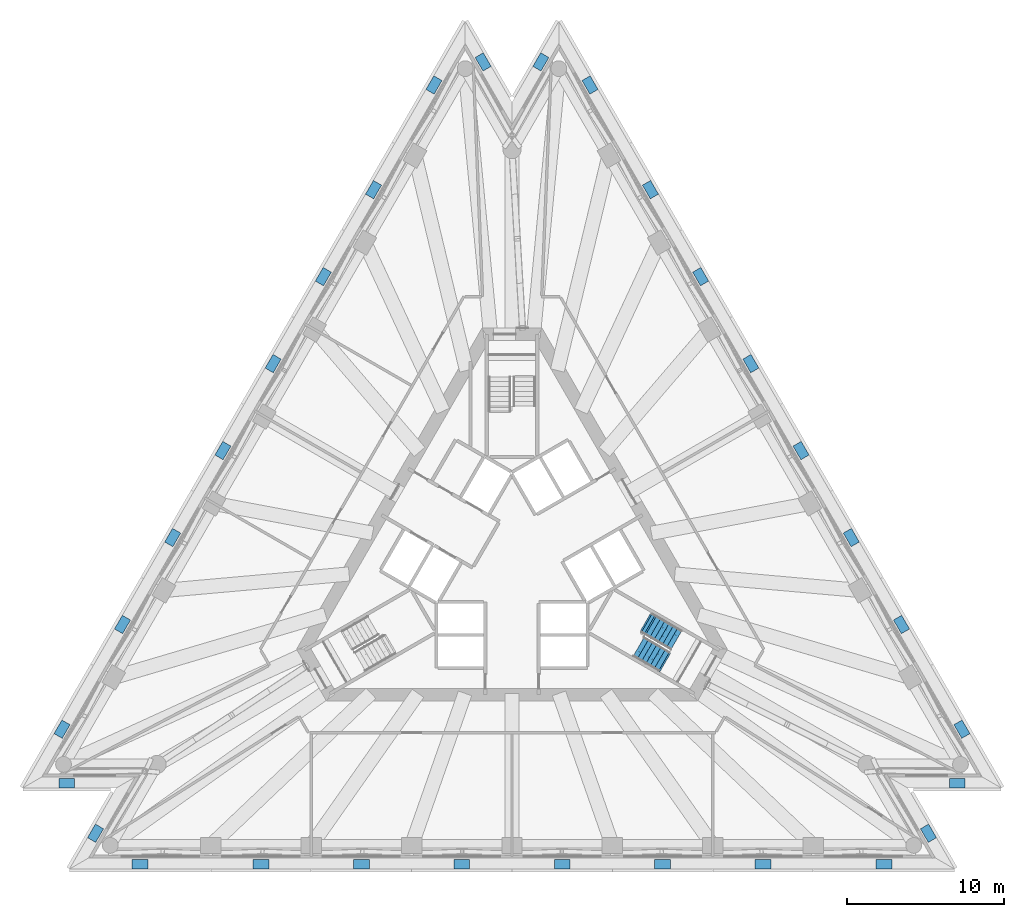
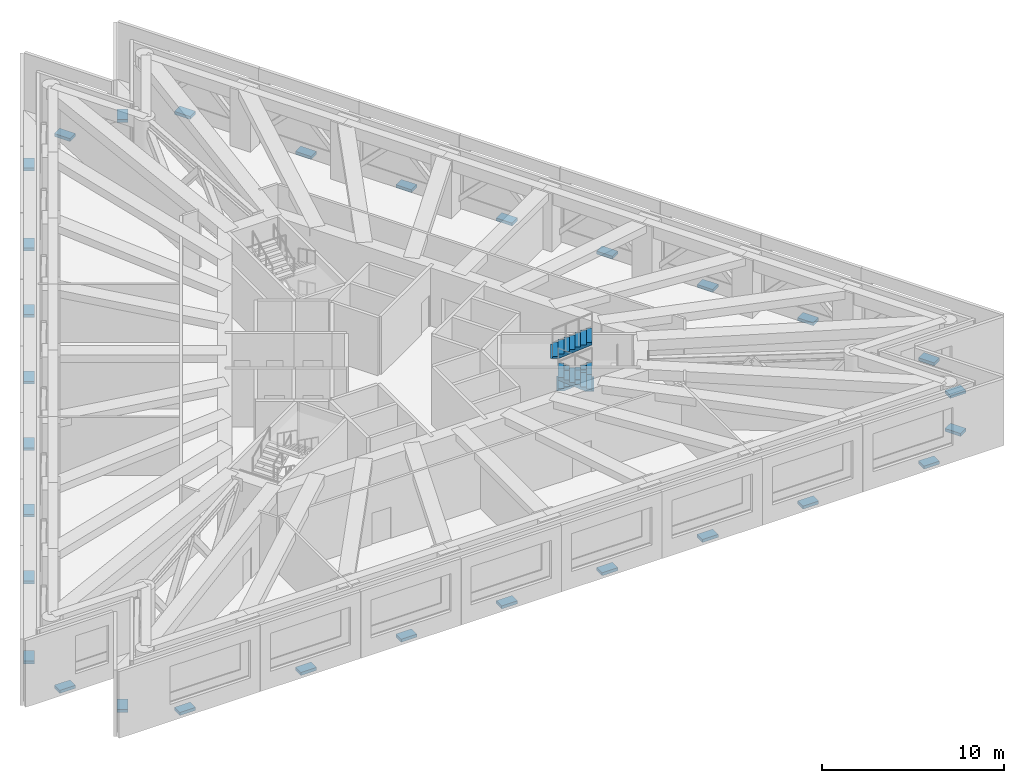
# One storey, part 11 of 13: 30 discrete accessories, 3 stair flights, 1 element without a shape of its own.
"""IFC4 building model written with IfcOpenShell, lengths in metres."""

from ifc_helpers import new_model, si_unit, direction, frame, origin, origin_2d, place, context, subcontext, project, spatial, polyline, rectangle, outline, extrude, material, type_object, element, aggregate, save


model = new_model("IFC4")

# Units and contexts
model_context = context("Model", 3, precision=1e-05, world=origin(), true_north=direction((0.0, 1.0)))
body_context = subcontext(model_context, "Body", "Model", "MODEL_VIEW")
ifc_project = project(units=[si_unit("LENGTHUNIT", "METRE"), si_unit("AREAUNIT", "SQUARE_METRE"), si_unit("VOLUMEUNIT", "CUBIC_METRE"), si_unit("PLANEANGLEUNIT", "RADIAN"), si_unit("MASSUNIT", "GRAM", prefix="KILO")], contexts=[model_context])

# Site, building, storey
site_placement = place(None, origin())
site = spatial("IfcSite", under=ifc_project, at=site_placement, CompositionType="ELEMENT")
building_placement = place(site_placement, origin())
building = spatial("IfcBuilding", under=site, at=building_placement, Name="Triada Interchange Tower", CompositionType="ELEMENT")
storey_placement = place(building_placement, frame((0.0, 0.0, 176.300048828125)))
storey = spatial("IfcBuildingStorey", under=building, at=storey_placement, Name="L41", CompositionType="ELEMENT", Elevation=176.300048828125)

# Stair, stair flights
ifc_material_1 = material(Name="Concrete C35/45", Category="concrete")
stair_type = type_object("IfcStairType", Name="HALF TURN STAIR 1400", PredefinedType="HALF_TURN_STAIR", material=ifc_material_1)
stair_placement = place(storey_placement, origin())
stair = element("IfcStair", 1, at=stair_placement, inside=storey, type_object=stair_type, Name="Exit stair S41-3", PredefinedType="HALF_TURN_STAIR")
stair_flight_type = type_object("IfcStairFlightType", Name="STRAIGHT STAIR FLIGHT 1400", PredefinedType="STRAIGHT", material=ifc_material_1)
stair_flight_1_placement = place(storey_placement, frame((8.8349609375, -4.177001953125, 1.086181640625), z_axis=(0.0, 0.0, 1.0), x_axis=(0.866025403784, -0.5, 0.0)))
stair_flight_1 = element("IfcStairFlight", 2, at=stair_flight_1_placement, type_object=stair_flight_type, Name="S41-3 flight 2", NumberOfRisers=7, NumberOfTreads=6, PredefinedType="STRAIGHT", RiserHeight=0.15517, TreadLength=0.31, context=body_context, shape_type="SweptSolid", body=[
    extrude(outline(polyline([(-0.10009765625, 0.0), (-0.10009765625, 0.02001953125), (0.0, 0.02001953125), (0.0, 0.1552734375), (0.31005859375, 0.1552734375), (0.31005859375, 0.310302734375), (0.6201171875, 0.310302734375), (0.6201171875, 0.465576171875), (0.929931640625, 0.465576171875), (0.929931640625, 0.62060546875), (1.239990234375, 0.62060546875), (1.239990234375, 0.77587890625), (1.550048828125, 0.77587890625), (1.550048828125, 0.930908203125), (1.860107421875, 0.930908203125), (1.864013671875, 0.930908203125), (1.864013671875, 1.086181640625), (1.864013671875, 0.763427734375), (0.3349609375, 0.0), (-0.10009765625, 0.0)])), frame((0.0, 0.699951171875, 0.0), z_axis=(0.0, -1.0, 0.0), x_axis=(1.0, 0.0, 0.0)), (0.0, 0.0, 1.0), 0.46533203125),
    extrude(outline(polyline([(-0.10009765625, 0.0), (-0.10009765625, 0.02001953125), (0.0, 0.02001953125), (0.0, 0.1552734375), (0.31005859375, 0.1552734375), (0.31005859375, 0.310302734375), (0.6201171875, 0.310302734375), (0.6201171875, 0.465576171875), (0.929931640625, 0.465576171875), (0.929931640625, 0.62060546875), (1.239990234375, 0.62060546875), (1.239990234375, 0.77587890625), (1.550048828125, 0.77587890625), (1.550048828125, 0.930908203125), (1.860107421875, 0.930908203125), (1.864013671875, 0.930908203125), (1.864013671875, 1.086181640625), (1.864013671875, 0.763427734375), (0.3349609375, 0.0), (-0.10009765625, 0.0)])), frame((0.0, 0.232666015625, 0.0), z_axis=(0.0, -1.0, 0.0), x_axis=(1.0, 0.0, 0.0)), (0.0, 0.0, 1.0), 0.46533203125),
    extrude(outline(polyline([(-0.10009765625, 0.0), (-0.10009765625, 0.02001953125), (0.0, 0.02001953125), (0.0, 0.1552734375), (0.31005859375, 0.1552734375), (0.31005859375, 0.310302734375), (0.6201171875, 0.310302734375), (0.6201171875, 0.465576171875), (0.929931640625, 0.465576171875), (0.929931640625, 0.62060546875), (1.239990234375, 0.62060546875), (1.239990234375, 0.77587890625), (1.550048828125, 0.77587890625), (1.550048828125, 0.930908203125), (1.860107421875, 0.930908203125), (1.864013671875, 0.930908203125), (1.864013671875, 1.086181640625), (1.864013671875, 0.763427734375), (0.3349609375, 0.0), (-0.10009765625, 0.0)])), frame((0.0, -0.234619140625, 0.0), z_axis=(0.0, -1.0, 0.0), x_axis=(1.0, 0.0, 0.0)), (0.0, 0.0, 1.0), 0.46533203125),
])
stair_flight_2_placement = place(storey_placement, frame((9.64599609375, -6.492919921875, 2.17236328125), z_axis=(0.0, 0.0, 1.0), x_axis=(-0.866025403784, 0.5, 0.0)))
stair_flight_2 = element("IfcStairFlight", 3, at=stair_flight_2_placement, type_object=stair_flight_type, Name="S41-3 flight 3", NumberOfRisers=7, NumberOfTreads=6, PredefinedType="STRAIGHT", RiserHeight=0.15517, TreadLength=0.31, context=body_context, shape_type="SweptSolid", body=[
    extrude(outline(polyline([(-0.10009765625, 0.0), (-0.10009765625, 0.02001953125), (0.0, 0.02001953125), (0.0, 0.1552734375), (0.31005859375, 0.1552734375), (0.31005859375, 0.310302734375), (0.6201171875, 0.310302734375), (0.6201171875, 0.465576171875), (0.929931640625, 0.465576171875), (0.929931640625, 0.62060546875), (1.239990234375, 0.62060546875), (1.239990234375, 0.77587890625), (1.550048828125, 0.77587890625), (1.550048828125, 0.930908203125), (1.860107421875, 0.930908203125), (1.864013671875, 0.930908203125), (1.864013671875, 1.086181640625), (1.864013671875, 0.763427734375), (0.3349609375, 0.0), (-0.10009765625, 0.0)])), frame((0.0, 0.699951171875, 0.0), z_axis=(0.0, -1.0, 0.0), x_axis=(1.0, 0.0, 0.0)), (0.0, 0.0, 1.0), 0.46533203125),
    extrude(outline(polyline([(-0.10009765625, 0.0), (-0.10009765625, 0.02001953125), (0.0, 0.02001953125), (0.0, 0.1552734375), (0.31005859375, 0.1552734375), (0.31005859375, 0.310302734375), (0.6201171875, 0.310302734375), (0.6201171875, 0.465576171875), (0.929931640625, 0.465576171875), (0.929931640625, 0.62060546875), (1.239990234375, 0.62060546875), (1.239990234375, 0.77587890625), (1.550048828125, 0.77587890625), (1.550048828125, 0.930908203125), (1.860107421875, 0.930908203125), (1.864013671875, 0.930908203125), (1.864013671875, 1.086181640625), (1.864013671875, 0.763427734375), (0.3349609375, 0.0), (-0.10009765625, 0.0)])), frame((0.0, 0.232666015625, 0.0), z_axis=(0.0, -1.0, 0.0), x_axis=(1.0, 0.0, 0.0)), (0.0, 0.0, 1.0), 0.46533203125),
    extrude(outline(polyline([(-0.10009765625, 0.0), (-0.10009765625, 0.02001953125), (0.0, 0.02001953125), (0.0, 0.1552734375), (0.31005859375, 0.1552734375), (0.31005859375, 0.310302734375), (0.6201171875, 0.310302734375), (0.6201171875, 0.465576171875), (0.929931640625, 0.465576171875), (0.929931640625, 0.62060546875), (1.239990234375, 0.62060546875), (1.239990234375, 0.77587890625), (1.550048828125, 0.77587890625), (1.550048828125, 0.930908203125), (1.860107421875, 0.930908203125), (1.864013671875, 0.930908203125), (1.864013671875, 1.086181640625), (1.864013671875, 0.763427734375), (0.3349609375, 0.0), (-0.10009765625, 0.0)])), frame((0.0, -0.234619140625, 0.0), z_axis=(0.0, -1.0, 0.0), x_axis=(1.0, 0.0, 0.0)), (0.0, 0.0, 1.0), 0.46533203125),
])
stair_flight_3_placement = place(storey_placement, frame((8.56689453125, -4.02197265625, 3.258544921875), z_axis=(0.0, 0.0, 1.0), x_axis=(0.866025403784, -0.5, 0.0)))
stair_flight_3 = element("IfcStairFlight", 4, at=stair_flight_3_placement, type_object=stair_flight_type, Name="S41-3 flight 4", NumberOfRisers=8, NumberOfTreads=7, PredefinedType="STRAIGHT", RiserHeight=0.15517, TreadLength=0.31, context=body_context, shape_type="SweptSolid", body=[
    extrude(outline(polyline([(-0.10009765625, 0.0), (-0.10009765625, 0.02001953125), (0.0, 0.02001953125), (0.0, 0.1552734375), (0.31005859375, 0.1552734375), (0.31005859375, 0.310302734375), (0.6201171875, 0.310302734375), (0.6201171875, 0.465576171875), (0.929931640625, 0.465576171875), (0.929931640625, 0.62060546875), (1.239990234375, 0.62060546875), (1.239990234375, 0.77587890625), (1.550048828125, 0.77587890625), (1.550048828125, 0.930908203125), (1.860107421875, 0.930908203125), (1.860107421875, 1.086181640625), (2.169921875, 1.086181640625), (2.174072265625, 1.086181640625), (2.174072265625, 1.241455078125), (2.174072265625, 0.91845703125), (0.3349609375, 0.0), (-0.10009765625, 0.0)])), frame((0.0, 0.699951171875, 0.0), z_axis=(0.0, -1.0, 0.0), x_axis=(1.0, 0.0, 0.0)), (0.0, 0.0, 1.0), 0.46533203125),
    extrude(outline(polyline([(-0.10009765625, 0.0), (-0.10009765625, 0.02001953125), (0.0, 0.02001953125), (0.0, 0.1552734375), (0.31005859375, 0.1552734375), (0.31005859375, 0.310302734375), (0.6201171875, 0.310302734375), (0.6201171875, 0.465576171875), (0.929931640625, 0.465576171875), (0.929931640625, 0.62060546875), (1.239990234375, 0.62060546875), (1.239990234375, 0.77587890625), (1.550048828125, 0.77587890625), (1.550048828125, 0.930908203125), (1.860107421875, 0.930908203125), (1.860107421875, 1.086181640625), (2.169921875, 1.086181640625), (2.174072265625, 1.086181640625), (2.174072265625, 1.241455078125), (2.174072265625, 0.91845703125), (0.3349609375, 0.0), (-0.10009765625, 0.0)])), frame((0.0, 0.232666015625, 0.0), z_axis=(0.0, -1.0, 0.0), x_axis=(1.0, 0.0, 0.0)), (0.0, 0.0, 1.0), 0.46533203125),
    extrude(outline(polyline([(-0.10009765625, 0.0), (-0.10009765625, 0.02001953125), (0.0, 0.02001953125), (0.0, 0.1552734375), (0.31005859375, 0.1552734375), (0.31005859375, 0.310302734375), (0.6201171875, 0.310302734375), (0.6201171875, 0.465576171875), (0.929931640625, 0.465576171875), (0.929931640625, 0.62060546875), (1.239990234375, 0.62060546875), (1.239990234375, 0.77587890625), (1.550048828125, 0.77587890625), (1.550048828125, 0.930908203125), (1.860107421875, 0.930908203125), (1.860107421875, 1.086181640625), (2.169921875, 1.086181640625), (2.174072265625, 1.086181640625), (2.174072265625, 1.241455078125), (2.174072265625, 0.91845703125), (0.3349609375, 0.0), (-0.10009765625, 0.0)])), frame((0.0, -0.234619140625, 0.0), z_axis=(0.0, -1.0, 0.0), x_axis=(1.0, 0.0, 0.0)), (0.0, 0.0, 1.0), 0.46533203125),
])
aggregate(stair, [stair_flight_1, stair_flight_2, stair_flight_3])

# Discrete accessories
ifc_material_2 = material(Name="Steel S355", Category="steel")
discrete_accessory_type = type_object("IfcDiscreteAccessoryType", Name="Steel bracket outer skin", PredefinedType="BRACKET", material=ifc_material_2)
for number, where, z_axis, x_axis, name in (
    (5, (-4.955078125, 30.138916015625, -0.27001953125), (0.0, 0.0, 1.0), (-0.86602965363, 0.49999263898, 0.0), "Bracket L41 01"),
    (6, (-8.7939453125, 23.489990234375, -0.27001953125), (0.0, 0.0, 1.0), (-0.86602965363, 0.49999263898, 0.0), "Bracket L41 02"),
    (7, (-11.98291015625, 17.966064453125, -0.27001953125), (0.0, 0.0, 1.0), (-0.86602965363, 0.49999263898, 0.0), "Bracket L41 03"),
    (8, (-15.172119140625, 12.44189453125, -0.27001953125), (0.0, 0.0, 1.0), (-0.86602965363, 0.49999263898, 0.0), "Bracket L41 04"),
    (9, (-18.361083984375, 6.9189453125, -0.27001953125), (0.0, 0.0, 1.0), (-0.86602965363, 0.49999263898, 0.0), "Bracket L41 05"),
    (10, (-21.551025390625, 1.39501953125, -0.27001953125), (0.0, 0.0, 1.0), (-0.86602965363, 0.49999263898, 0.0), "Bracket L41 06"),
    (11, (-24.739990234375, -4.12890625, -0.27001953125), (0.0, 0.0, 1.0), (-0.86602965363, 0.49999263898, 0.0), "Bracket L41 07"),
    (12, (-28.577880859375, -10.778076171875, -0.27001953125), (0.0, 0.0, 1.0), (-0.86602965363, 0.49999263898, 0.0), "Bracket L41 08"),
    (13, (-28.283935546875, -14.215087890625, -0.27001953125), (0.0, 0.0, 1.0), (0.0, -1.0, 0.0), "Bracket L41 09"),
    (14, (-26.452880859375, -17.387939453125, -0.27001953125), (0.0, 0.0, 1.0), (-0.866028641352, 0.499994392326, 0.0), "Bracket L41 10"),
    (15, (-23.623046875, -19.361083984375, -0.27001953125), (0.0, 0.0, 1.0), (0.0, -1.0, 0.0), "Bracket L41 11"),
    (16, (-15.946044921875, -19.361083984375, -0.27001953125), (0.0, 0.0, 1.0), (0.0, -1.0, 0.0), "Bracket L41 12"),
    (17, (-9.56689453125, -19.361083984375, -0.27001953125), (0.0, 0.0, 1.0), (0.0, -1.0, 0.0), "Bracket L41 13"),
    (18, (-3.18896484375, -19.361083984375, -0.27001953125), (0.0, 0.0, 1.0), (0.0, -1.0, 0.0), "Bracket L41 14"),
    (19, (3.18896484375, -19.361083984375, -0.27001953125), (0.0, 0.0, 1.0), (0.0, -1.0, 0.0), "Bracket L41 15"),
    (20, (9.56689453125, -19.361083984375, -0.27001953125), (0.0, 0.0, 1.0), (0.0, -1.0, 0.0), "Bracket L41 16"),
    (21, (15.946044921875, -19.361083984375, -0.27001953125), (0.0, 0.0, 1.0), (0.0, -1.0, 0.0), "Bracket L41 17"),
    (22, (23.623046875, -19.361083984375, -0.27001953125), (0.0, 0.0, 1.0), (0.0, -1.0, 0.0), "Bracket L41 18"),
    (23, (26.452880859375, -17.387939453125, -0.27001953125), (0.0, 0.0, 1.0), (0.866028641352, 0.499994392326, 0.0), "Bracket L41 19"),
    (24, (28.283935546875, -14.215087890625, -0.27001953125), (0.0, 0.0, 1.0), (0.0, -1.0, 0.0), "Bracket L41 20"),
    (25, (28.577880859375, -10.778076171875, -0.27001953125), (0.0, 0.0, 1.0), (0.86602965363, 0.49999263898, 0.0), "Bracket L41 21"),
    (26, (24.739990234375, -4.12890625, -0.27001953125), (0.0, 0.0, 1.0), (0.86602965363, 0.49999263898, 0.0), "Bracket L41 22"),
    (27, (21.551025390625, 1.39501953125, -0.27001953125), (0.0, 0.0, 1.0), (0.86602965363, 0.49999263898, 0.0), "Bracket L41 23"),
    (28, (18.361083984375, 6.9189453125, -0.27001953125), (0.0, 0.0, 1.0), (0.86602965363, 0.49999263898, 0.0), "Bracket L41 24"),
    (29, (15.172119140625, 12.44189453125, -0.27001953125), (0.0, 0.0, 1.0), (0.86602965363, 0.49999263898, 0.0), "Bracket L41 25"),
    (30, (11.98291015625, 17.966064453125, -0.27001953125), (0.0, 0.0, 1.0), (0.86602965363, 0.49999263898, 0.0), "Bracket L41 26"),
    (31, (8.7939453125, 23.489990234375, -0.27001953125), (0.0, 0.0, 1.0), (0.86602965363, 0.49999263898, 0.0), "Bracket L41 27"),
    (32, (4.955078125, 30.138916015625, -0.27001953125), (0.0, 0.0, 1.0), (0.86602965363, 0.49999263898, 0.0), "Bracket L41 28"),
    (33, (1.83203125, 31.60302734375, -0.27001953125), (0.0, 0.0, 1.0), (-0.866070708976, 0.499921520895, 0.0), "Bracket L41 29"),
    (34, (-1.83203125, 31.60302734375, -0.27001953125), (0.0, 0.0, 1.0), (0.866070708976, 0.499921520895, 0.0), "Bracket L41 30"),
):
    element("IfcDiscreteAccessory", number, at=place(storey_placement, frame(where, z_axis=z_axis, x_axis=x_axis)), inside=storey, type_object=discrete_accessory_type, Name=name, PredefinedType="BRACKET", context=body_context, shape_type="SweptSolid", body=[
        extrude(rectangle(XDim=0.60009765625, YDim=1.0, at=origin_2d()), origin(), (0.0, 0.0, 1.0), 0.199951171875),
    ])

save(model, "model.ifc")
